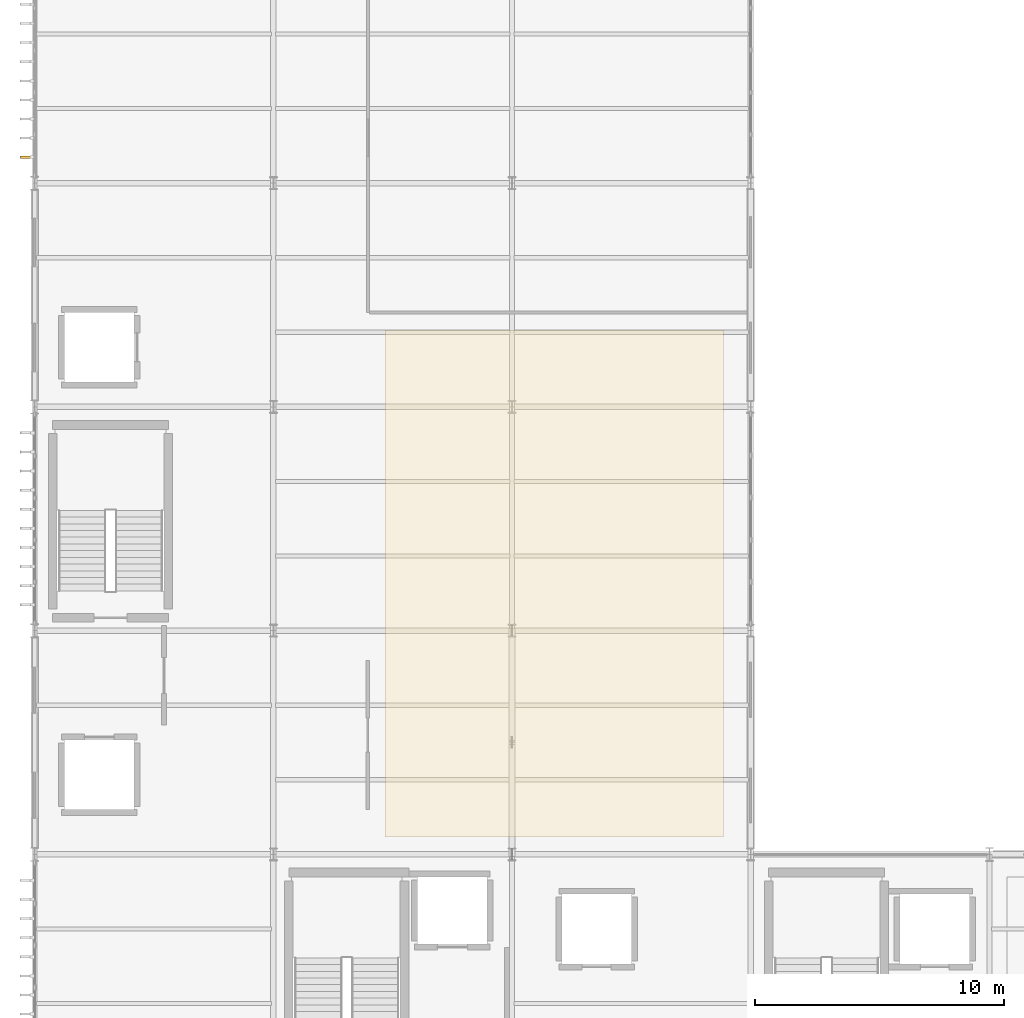
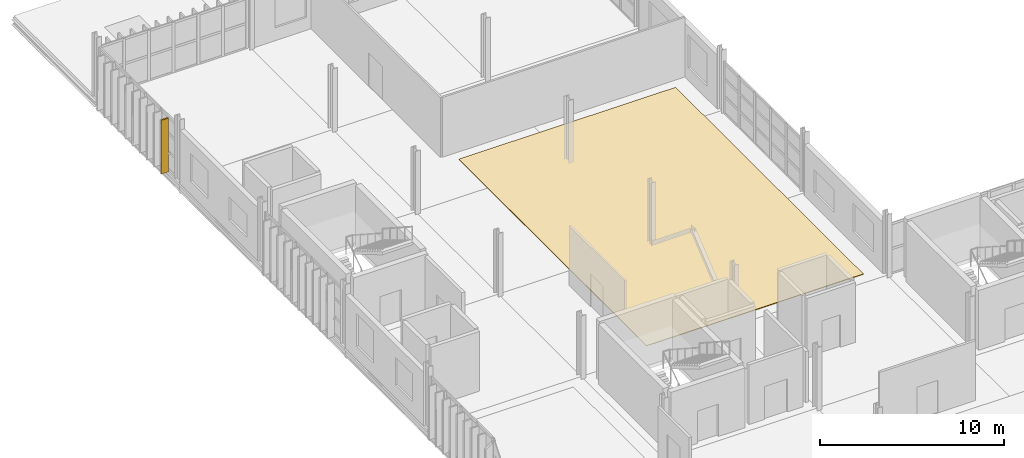
# One storey, part 50 of 52: 1 covering, 1 shading device.
"""IFC4 building model written with IfcOpenShell, lengths in metres."""

from ifc_helpers import new_model, si_unit, direction, frame, origin, origin_2d, place, context, subcontext, project, spatial, polyline, rectangle, outline, extrude, material, layer, layer_set, type_object, element, save


model = new_model("IFC4")

# Units and contexts
model_context = context("Model", 3, precision=1e-05, world=origin(), true_north=direction((0.0, 1.0)))
body_context = subcontext(model_context, "Body", "Model", "MODEL_VIEW")
ifc_project = project(units=[si_unit("LENGTHUNIT", "METRE"), si_unit("AREAUNIT", "SQUARE_METRE"), si_unit("VOLUMEUNIT", "CUBIC_METRE"), si_unit("PLANEANGLEUNIT", "RADIAN"), si_unit("MASSUNIT", "GRAM", prefix="KILO")], contexts=[model_context])

# Site, building, storey
site_placement = place(None, origin())
site = spatial("IfcSite", under=ifc_project, at=site_placement, CompositionType="ELEMENT")
building_placement = place(site_placement, origin())
building = spatial("IfcBuilding", under=site, at=building_placement, Name="Zarnetskaya Central Station", CompositionType="ELEMENT")
storey_placement = place(building_placement, frame((0.0, 0.0, 14.39990234375)))
storey = spatial("IfcBuildingStorey", under=building, at=storey_placement, Name="L03", CompositionType="ELEMENT", Elevation=14.39990234375)

# Covering
ifc_material_1 = material(Name="Granite stone flooring", Category="masonry")
ifc_layer = layer(ifc_material_1, 0.0400390625, Name="Granite stone flooring", Category="masonry")
ifc_layer_set = layer_set([ifc_layer], Name="Granite stone flooring")
covering_type = type_object("IfcCoveringType", Name="COV-GRAN-FLR", PredefinedType="FLOORING", material=ifc_layer_set)
covering_placement = place(storey_placement, origin())
element("IfcCovering", 1, at=covering_placement, inside=storey, type_object=covering_type, Name="Granite terrazzo floor finish L03-513", PredefinedType="FLOORING", context=body_context, shape_type="SweptSolid", body=[
    extrude(outline(polyline([(14.10009765625, 22.89990234375), (27.699951171875, 22.89990234375), (27.699951171875, 43.300048828125), (14.10009765625, 43.300048828125), (14.10009765625, 22.89990234375)])), origin(), (0.0, 0.0, 1.0), 0.0400390625),
])

# Shading device
ifc_material_2 = material(Name="Larch glulam GL28h", Category="wood")
shading_device_type = type_object("IfcShadingDeviceType", Name="SHD-LARCH-FIN-B", PredefinedType="USERDEFINED", material=ifc_material_2)
shading_device_placement = place(storey_placement, frame((-0.340087890625, 50.2431640625, 0.0), z_axis=(0.0, 0.0, 1.0), x_axis=(0.0, 1.0, 0.0)))
element("IfcShadingDevice", 2, at=shading_device_placement, inside=storey, type_object=shading_device_type, Name="Vertical larch timber fin CW-L03-034-01", ObjectType="TIMBER FIN", PredefinedType="USERDEFINED", context=body_context, shape_type="SweptSolid", body=[
    extrude(rectangle(XDim=0.0849609375, YDim=0.4599609375, at=origin_2d()), origin(), (0.0, 0.0, 1.0), 3.56005859375),
])

save(model, "model.ifc")
